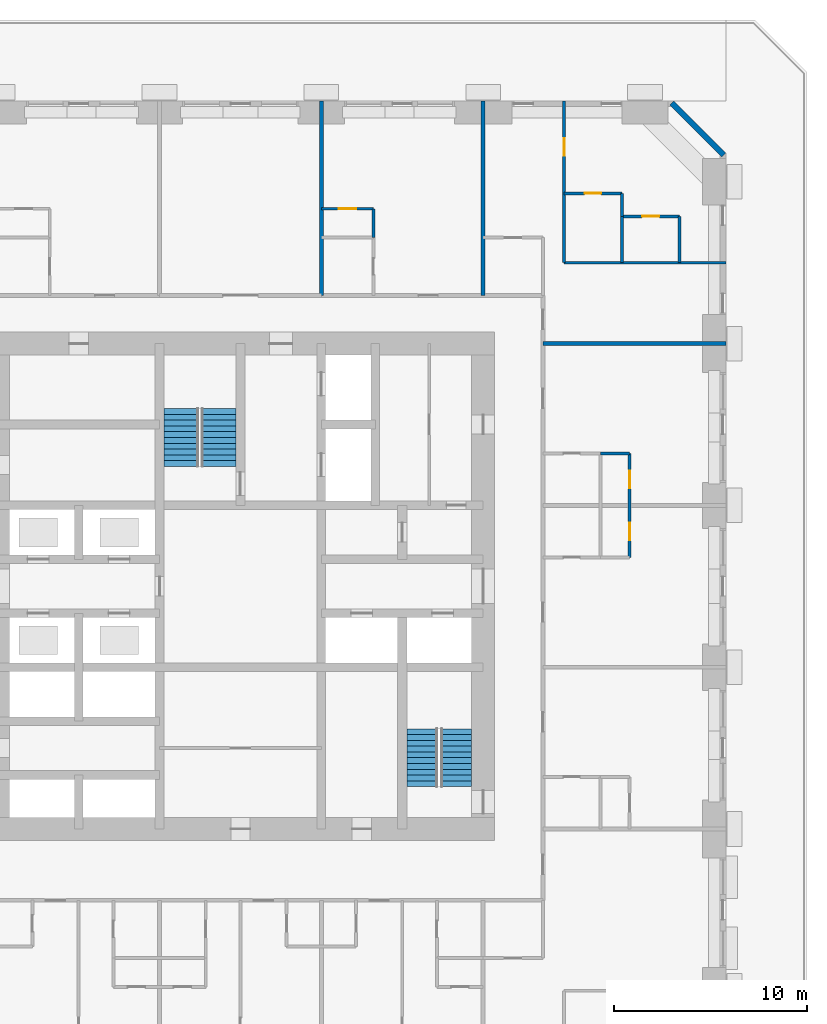
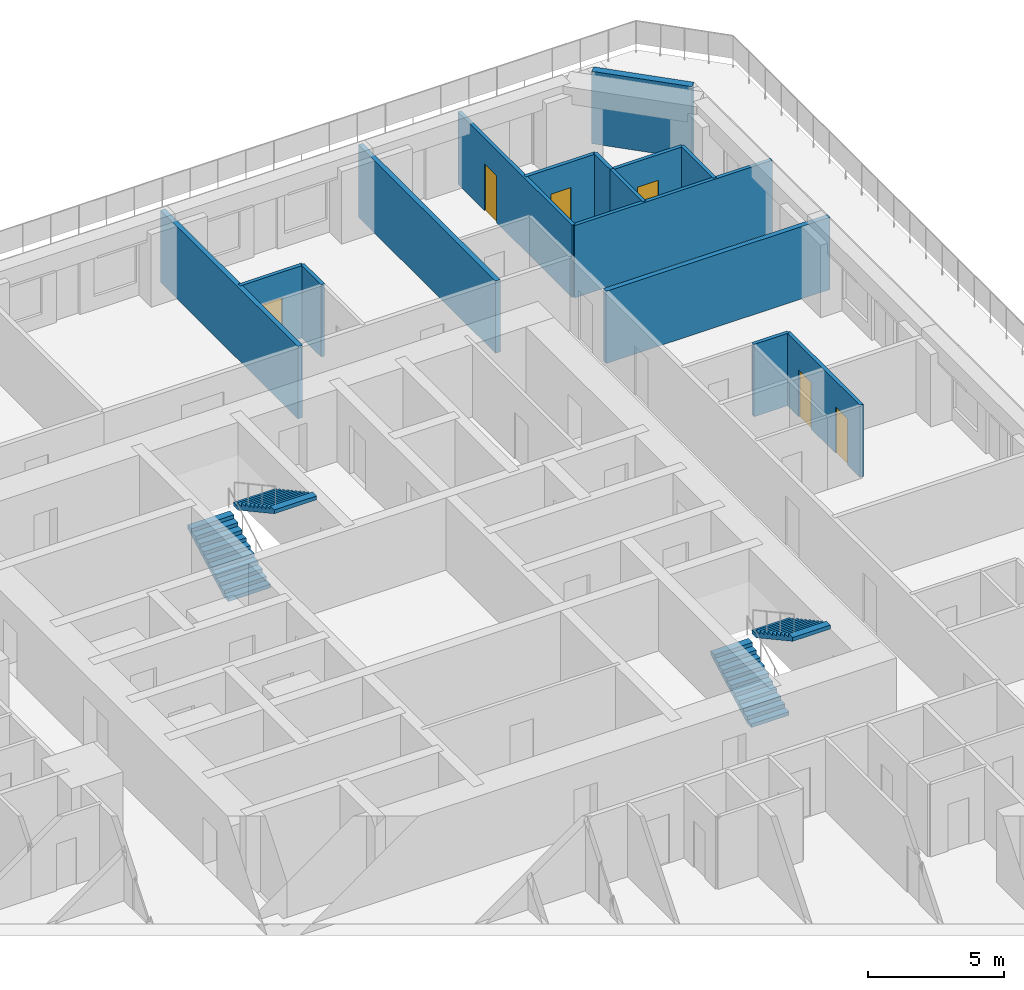
# One storey, part 14 of 16: 15 walls, 6 doors, 4 stair flights, 6 openings, 2 elements without a shape of their own.
"""IFC4 building model written with IfcOpenShell, lengths in metres."""

from ifc_helpers import new_model, si_unit, direction, frame, frame_2d, origin, place, context, subcontext, project, spatial, polyline, rectangle, outline, extrude, material, layer, layer_set, type_object, element, fill, aggregate, save


model = new_model("IFC4")

# Units and contexts
model_context = context("Model", 3, precision=1e-05, world=origin(), true_north=direction((0.0, 1.0)))
body_context = subcontext(model_context, "Body", "Model", "MODEL_VIEW")
ifc_project = project(units=[si_unit("LENGTHUNIT", "METRE"), si_unit("AREAUNIT", "SQUARE_METRE"), si_unit("VOLUMEUNIT", "CUBIC_METRE"), si_unit("PLANEANGLEUNIT", "RADIAN"), si_unit("MASSUNIT", "GRAM", prefix="KILO")], contexts=[model_context])

# Site, building, storey
site_placement = place(None, origin())
site = spatial("IfcSite", under=ifc_project, at=site_placement, CompositionType="ELEMENT")
building_placement = place(site_placement, origin())
building = spatial("IfcBuilding", under=site, at=building_placement, Name="Dunama Terrace Hotel", CompositionType="ELEMENT")
storey_placement = place(building_placement, frame((0.0, 0.0, 93.60009765625)))
storey = spatial("IfcBuildingStorey", under=building, at=storey_placement, Name="L23", CompositionType="ELEMENT", Elevation=93.60009765625)

# Wall
ifc_material_1 = material(Name="Gypsum board partition", Category="masonry")
ifc_layer_1 = layer(ifc_material_1, 0.14990234375)
ifc_layer_set_1 = layer_set([ifc_layer_1], Name="Bathroom partition 150")
wall_type_1 = type_object("IfcWallType", Name="Bathroom partition 150", PredefinedType="PARTITIONING", material=ifc_layer_set_1)
wall_1_placement = place(storey_placement, frame((49.199951171875, 48.60009765625, 0.0), z_axis=(0.0, 0.0, 1.0), x_axis=(0.0, 1.0, 0.0)))
element("IfcWall", 1, at=wall_1_placement, inside=storey, type_object=wall_type_1, Name="Bathroom partition 150 L23", PredefinedType="PARTITIONING", context=body_context, shape_type="SweptSolid", body=[
    extrude(rectangle(XDim=1.199951171875, YDim=0.14990234375, at=frame_2d((0.60009765625, 0.0))), origin(), (0.0, 0.0, 1.0), 3.25),
])

# Wall, opening, door
wall_2_placement = place(storey_placement, frame((46.199951171875, 49.800048828125, 0.0), z_axis=(0.0, 0.0, 1.0), x_axis=(1.0, 0.0, 0.0)))
wall_2 = element("IfcWall", 2, at=wall_2_placement, inside=storey, type_object=wall_type_1, Name="Bathroom partition 150 L23", PredefinedType="PARTITIONING", context=body_context, shape_type="SweptSolid", body=[
    extrude(rectangle(XDim=3.0, YDim=0.14990234375, at=frame_2d((1.5, 0.0))), origin(), (0.0, 0.0, 1.0), 3.25),
])
opening_1_placement = place(wall_2_placement, frame((1.074951171875, 0.0, 0.0)))
opening_1 = element("IfcOpeningElement", 3, at=opening_1_placement, cuts=wall_2, Name="Opening L23-085", PredefinedType="OPENING", context=body_context, shape_type="SweptSolid", body=[
    extrude(rectangle(XDim=0.85009765625, YDim=2.10009765625, at=frame_2d((0.425048828125, 1.050048828125))), frame((0.0, 0.0849609375, 0.0), z_axis=(0.0, -1.0, 0.0), x_axis=(1.0, 0.0, 0.0)), (0.0, 0.0, 1.0), 0.169921875),
])
ifc_material_2 = material(Name="Timber door with steel frame", Category="steel")
door_type_1 = type_object("IfcDoorType", Name="Bathroom door 850", OperationType="SINGLE_SWING_LEFT", PredefinedType="DOOR", material=ifc_material_2)
door_1_placement = place(opening_1_placement, frame((0.85009765625, 0.0, 0.0), z_axis=(0.0, 0.0, 1.0), x_axis=(-1.0, 0.0, 0.0)))
door_1 = element("IfcDoor", 4, at=door_1_placement, inside=storey, type_object=door_type_1, Name="Door to en-suite bathroom L23-085, type D2", OperationType="SINGLE_SWING_LEFT", OverallHeight=2.10009765625, OverallWidth=0.85009765625, PredefinedType="DOOR", context=body_context, shape_type="SweptSolid", body=[
    extrude(rectangle(XDim=0.85009765625, YDim=2.10009765625, at=frame_2d((0.425048828125, 1.050048828125))), frame((0.0, 0.025146484375, 0.0), z_axis=(0.0, -1.0, 0.0), x_axis=(1.0, 0.0, 0.0)), (0.0, 0.0, 1.0), 0.050048828125),
])
fill(opening_1, door_1)

# Walls
ifc_material_3 = material(Name="Concrete blockwork", Category="masonry")
ifc_layer_2 = layer(ifc_material_3, 0.199951171875)
ifc_layer_set_2 = layer_set([ifc_layer_2], Name="Party wall 200")
wall_type_2 = type_object("IfcWallType", Name="Party wall 200", PredefinedType="PARTITIONING", material=ifc_layer_set_2)
for number, where, z_axis, x_axis, name in (
    (5, (33.60009765625, 44.5, 0.0), (0.0, 0.0, 1.0), (0.0, 1.0, 0.0), "Party wall 200 L23"),
    (6, (42.0, 44.5, 0.0), (0.0, 0.0, 1.0), (0.0, 1.0, 0.0), "Party wall 200 L23"),
):
    element("IfcWall", number, at=place(storey_placement, frame(where, z_axis=z_axis, x_axis=x_axis)), inside=storey, type_object=wall_type_2, Name=name, PredefinedType="PARTITIONING", context=body_context, shape_type="SweptSolid", body=[
        extrude(rectangle(XDim=10.10009765625, YDim=0.199951171875, at=frame_2d((5.050048828125, 0.0))), origin(), (0.0, 0.0, 1.0), 3.25),
    ])
wall_3_placement = place(storey_placement, frame((45.10009765625, 42.0, 0.0), z_axis=(0.0, 0.0, 1.0), x_axis=(1.0, 0.0, 0.0)))
element("IfcWall", 7, at=wall_3_placement, inside=storey, type_object=wall_type_2, Name="Party wall 200 L23", PredefinedType="PARTITIONING", context=body_context, shape_type="SweptSolid", body=[
    extrude(rectangle(XDim=9.5, YDim=0.199951171875, at=frame_2d((4.75, 0.0))), origin(), (0.0, 0.0, 1.0), 3.25),
])
ifc_material_4 = material(Name="Gypsum board partition", Category="masonry")
ifc_layer_3 = layer(ifc_material_4, 0.14990234375)
ifc_layer_set_3 = layer_set([ifc_layer_3], Name="Room partition 150")
wall_type_3 = type_object("IfcWallType", Name="Room partition 150", PredefinedType="PARTITIONING", material=ifc_layer_set_3)
wall_4_placement = place(storey_placement, frame((36.300048828125, 47.5, 0.0), z_axis=(0.0, 0.0, 1.0), x_axis=(0.0, 1.0, 0.0)))
element("IfcWall", 8, at=wall_4_placement, inside=storey, type_object=wall_type_3, Name="Room partition 150 L23", PredefinedType="PARTITIONING", context=body_context, shape_type="SweptSolid", body=[
    extrude(rectangle(XDim=1.5, YDim=0.14990234375, at=frame_2d((0.75, 0.0))), origin(), (0.0, 0.0, 1.0), 3.25),
])

# Wall, opening, door
wall_5_placement = place(storey_placement, frame((46.199951171875, 46.199951171875, 0.0), z_axis=(0.0, 0.0, 1.0), x_axis=(0.0, 1.0, 0.0)))
wall_5 = element("IfcWall", 9, at=wall_5_placement, inside=storey, type_object=wall_type_3, Name="Room partition 150 L23", PredefinedType="PARTITIONING", context=body_context, shape_type="SweptSolid", body=[
    extrude(rectangle(XDim=8.400146484375, YDim=0.14990234375, at=frame_2d((4.2001953125, 0.0))), origin(), (0.0, 0.0, 1.0), 3.25),
])
opening_2_placement = place(wall_5_placement, frame((5.550048828125, 0.0, 0.0)))
opening_2 = element("IfcOpeningElement", 10, at=opening_2_placement, cuts=wall_5, Name="Opening L23-084", PredefinedType="OPENING", context=body_context, shape_type="SweptSolid", body=[
    extrude(rectangle(XDim=0.89990234375, YDim=2.10009765625, at=frame_2d((0.449951171875, 1.050048828125))), frame((0.0, 0.0849609375, 0.0), z_axis=(0.0, -1.0, 0.0), x_axis=(1.0, 0.0, 0.0)), (0.0, 0.0, 1.0), 0.169921875),
])
ifc_material_5 = material(Name="Timber door with steel frame", Category="steel")
door_type_2 = type_object("IfcDoorType", Name="Suite internal door 900", OperationType="SINGLE_SWING_LEFT", PredefinedType="DOOR", material=ifc_material_5)
door_2_placement = place(opening_2_placement, frame((0.89990234375, 0.0, 0.0), z_axis=(0.0, 0.0, 1.0), x_axis=(-1.0, 0.0, 0.0)))
door_2 = element("IfcDoor", 11, at=door_2_placement, inside=storey, type_object=door_type_2, Name="Door to corner suite bedroom L23-084, type D16", OperationType="SINGLE_SWING_LEFT", OverallHeight=2.10009765625, OverallWidth=0.89990234375, PredefinedType="DOOR", context=body_context, shape_type="SweptSolid", body=[
    extrude(rectangle(XDim=0.89990234375, YDim=2.10009765625, at=frame_2d((0.449951171875, 1.050048828125))), frame((0.0, 0.025146484375, 0.0), z_axis=(0.0, -1.0, 0.0), x_axis=(1.0, 0.0, 0.0)), (0.0, 0.0, 1.0), 0.050048828125),
])
fill(opening_2, door_2)

# Wall
wall_6_placement = place(storey_placement, frame((49.199951171875, 46.199951171875, 0.0), z_axis=(0.0, 0.0, 1.0), x_axis=(0.0, 1.0, 0.0)))
element("IfcWall", 12, at=wall_6_placement, inside=storey, type_object=wall_type_3, Name="Room partition 150 L23", PredefinedType="PARTITIONING", context=body_context, shape_type="SweptSolid", body=[
    extrude(rectangle(XDim=2.400146484375, YDim=0.14990234375, at=frame_2d((1.2001953125, 0.0))), origin(), (0.0, 0.0, 1.0), 3.25),
])

# Wall, openings, doors
wall_7_placement = place(storey_placement, frame((49.60009765625, 30.89990234375, 0.0), z_axis=(0.0, 0.0, 1.0), x_axis=(0.0, 1.0, 0.0)))
wall_7 = element("IfcWall", 13, at=wall_7_placement, inside=storey, type_object=wall_type_3, Name="Room partition 150 L23", PredefinedType="PARTITIONING", context=body_context, shape_type="SweptSolid", body=[
    extrude(rectangle(XDim=5.400146484375, YDim=0.14990234375, at=frame_2d((2.7001953125, 0.0))), origin(), (0.0, 0.0, 1.0), 3.25),
])
opening_3_placement = place(wall_7_placement, frame((0.89990234375, 0.0, 0.0)))
opening_3 = element("IfcOpeningElement", 14, at=opening_3_placement, cuts=wall_7, Name="Opening L23-045", PredefinedType="OPENING", context=body_context, shape_type="SweptSolid", body=[
    extrude(rectangle(XDim=0.89990234375, YDim=2.10009765625, at=frame_2d((0.449951171875, 1.050048828125))), frame((0.0, 0.0849609375, 0.0), z_axis=(0.0, -1.0, 0.0), x_axis=(1.0, 0.0, 0.0)), (0.0, 0.0, 1.0), 0.169921875),
])
opening_4_placement = place(wall_7_placement, frame((3.60009765625, 0.0, 0.0)))
opening_4 = element("IfcOpeningElement", 15, at=opening_4_placement, cuts=wall_7, Name="Opening L23-048", PredefinedType="OPENING", context=body_context, shape_type="SweptSolid", body=[
    extrude(rectangle(XDim=0.89990234375, YDim=2.10009765625, at=frame_2d((0.449951171875, 1.050048828125))), frame((0.0, 0.0849609375, 0.0), z_axis=(0.0, -1.0, 0.0), x_axis=(1.0, 0.0, 0.0)), (0.0, 0.0, 1.0), 0.169921875),
])
door_3_placement = place(opening_3_placement, origin())
door_3 = element("IfcDoor", 16, at=door_3_placement, inside=storey, type_object=door_type_2, Name="Door to walk-in wardrobe L23-045, type D16", OperationType="SINGLE_SWING_LEFT", OverallHeight=2.10009765625, OverallWidth=0.89990234375, PredefinedType="DOOR", context=body_context, shape_type="SweptSolid", body=[
    extrude(rectangle(XDim=0.89990234375, YDim=2.10009765625, at=frame_2d((0.449951171875, 1.050048828125))), frame((0.0, 0.02490234375, 0.0), z_axis=(0.0, -1.0, 0.0), x_axis=(1.0, 0.0, 0.0)), (0.0, 0.0, 1.0), 0.050048828125),
])
fill(opening_3, door_3)
door_4_placement = place(opening_4_placement, origin())
door_4 = element("IfcDoor", 17, at=door_4_placement, inside=storey, type_object=door_type_2, Name="Door to walk-in wardrobe L23-048, type D16", OperationType="SINGLE_SWING_LEFT", OverallHeight=2.10009765625, OverallWidth=0.89990234375, PredefinedType="DOOR", context=body_context, shape_type="SweptSolid", body=[
    extrude(rectangle(XDim=0.89990234375, YDim=2.10009765625, at=frame_2d((0.449951171875, 1.050048828125))), frame((0.0, 0.02490234375, 0.0), z_axis=(0.0, -1.0, 0.0), x_axis=(1.0, 0.0, 0.0)), (0.0, 0.0, 1.0), 0.050048828125),
])
fill(opening_4, door_4)

# Walls
wall_8_placement = place(storey_placement, frame((52.199951171875, 46.199951171875, 0.0), z_axis=(0.0, 0.0, 1.0), x_axis=(0.0, 1.0, 0.0)))
element("IfcWall", 18, at=wall_8_placement, inside=storey, type_object=wall_type_3, Name="Room partition 150 L23", PredefinedType="PARTITIONING", context=body_context, shape_type="SweptSolid", body=[
    extrude(rectangle(XDim=2.400146484375, YDim=0.14990234375, at=frame_2d((1.2001953125, 0.0))), origin(), (0.0, 0.0, 1.0), 3.25),
])
wall_9_placement = place(storey_placement, frame((48.10009765625, 36.300048828125, 0.0), z_axis=(0.0, 0.0, 1.0), x_axis=(1.0, 0.0, 0.0)))
element("IfcWall", 19, at=wall_9_placement, inside=storey, type_object=wall_type_3, Name="Room partition 150 L23", PredefinedType="PARTITIONING", context=body_context, shape_type="SweptSolid", body=[
    extrude(rectangle(XDim=1.5, YDim=0.14990234375, at=frame_2d((0.75, 0.0))), origin(), (0.0, 0.0, 1.0), 3.25),
])
wall_10_placement = place(storey_placement, frame((46.199951171875, 46.199951171875, 0.0), z_axis=(0.0, 0.0, 1.0), x_axis=(1.0, 0.0, 0.0)))
element("IfcWall", 20, at=wall_10_placement, inside=storey, type_object=wall_type_3, Name="Room partition 150 L23", PredefinedType="PARTITIONING", context=body_context, shape_type="SweptSolid", body=[
    extrude(rectangle(XDim=8.400146484375, YDim=0.14990234375, at=frame_2d((4.2001953125, 0.0))), origin(), (0.0, 0.0, 1.0), 3.25),
])

# Wall, opening, door
wall_11_placement = place(storey_placement, frame((49.199951171875, 48.60009765625, 0.0), z_axis=(0.0, 0.0, 1.0), x_axis=(1.0, 0.0, 0.0)))
wall_11 = element("IfcWall", 21, at=wall_11_placement, inside=storey, type_object=wall_type_3, Name="Room partition 150 L23", PredefinedType="PARTITIONING", context=body_context, shape_type="SweptSolid", body=[
    extrude(rectangle(XDim=3.0, YDim=0.14990234375, at=frame_2d((1.5, 0.0))), origin(), (0.0, 0.0, 1.0), 3.25),
])
opening_5_placement = place(wall_11_placement, frame((1.050048828125, 0.0, 0.0)))
opening_5 = element("IfcOpeningElement", 22, at=opening_5_placement, cuts=wall_11, Name="Opening L23-086", PredefinedType="OPENING", context=body_context, shape_type="SweptSolid", body=[
    extrude(rectangle(XDim=0.89990234375, YDim=2.10009765625, at=frame_2d((0.449951171875, 1.050048828125))), frame((0.0, 0.0849609375, 0.0), z_axis=(0.0, -1.0, 0.0), x_axis=(1.0, 0.0, 0.0)), (0.0, 0.0, 1.0), 0.169921875),
])
door_5_placement = place(opening_5_placement, frame((0.89990234375, 0.0, 0.0), z_axis=(0.0, 0.0, 1.0), x_axis=(-1.0, 0.0, 0.0)))
door_5 = element("IfcDoor", 23, at=door_5_placement, inside=storey, type_object=door_type_2, Name="Door to dressing room L23-086, type D16", OperationType="SINGLE_SWING_RIGHT", OverallHeight=2.10009765625, OverallWidth=0.89990234375, PredefinedType="DOOR", context=body_context, shape_type="SweptSolid", body=[
    extrude(rectangle(XDim=0.89990234375, YDim=2.10009765625, at=frame_2d((0.449951171875, 1.050048828125))), frame((0.0, 0.025146484375, 0.0), z_axis=(0.0, -1.0, 0.0), x_axis=(1.0, 0.0, 0.0)), (0.0, 0.0, 1.0), 0.050048828125),
])
fill(opening_5, door_5)

wall_12_placement = place(storey_placement, frame((33.60009765625, 49.0, 0.0), z_axis=(0.0, 0.0, 1.0), x_axis=(1.0, 0.0, 0.0)))
wall_12 = element("IfcWall", 24, at=wall_12_placement, inside=storey, type_object=wall_type_3, Name="Room partition 150 L23", PredefinedType="PARTITIONING", context=body_context, shape_type="SweptSolid", body=[
    extrude(rectangle(XDim=2.699951171875, YDim=0.14990234375, at=frame_2d((1.35009765625, 0.0))), origin(), (0.0, 0.0, 1.0), 3.25),
])
opening_6_placement = place(wall_12_placement, frame((0.89990234375, 0.0, 0.0)))
opening_6 = element("IfcOpeningElement", 25, at=opening_6_placement, cuts=wall_12, Name="Opening L23-055", PredefinedType="OPENING", context=body_context, shape_type="SweptSolid", body=[
    extrude(rectangle(XDim=0.89990234375, YDim=2.10009765625, at=frame_2d((0.449951171875, 1.050048828125))), frame((0.0, 0.0849609375, 0.0), z_axis=(0.0, -1.0, 0.0), x_axis=(1.0, 0.0, 0.0)), (0.0, 0.0, 1.0), 0.169921875),
])
door_6_placement = place(opening_6_placement, frame((0.89990234375, 0.0, 0.0), z_axis=(0.0, 0.0, 1.0), x_axis=(-1.0, 0.0, 0.0)))
door_6 = element("IfcDoor", 26, at=door_6_placement, inside=storey, type_object=door_type_2, Name="Door to walk-in wardrobe L23-055, type D16", OperationType="SINGLE_SWING_RIGHT", OverallHeight=2.10009765625, OverallWidth=0.89990234375, PredefinedType="DOOR", context=body_context, shape_type="SweptSolid", body=[
    extrude(rectangle(XDim=0.89990234375, YDim=2.10009765625, at=frame_2d((0.449951171875, 1.050048828125))), frame((0.0, 0.025146484375, 0.0), z_axis=(0.0, -1.0, 0.0), x_axis=(1.0, 0.0, 0.0)), (0.0, 0.0, 1.0), 0.050048828125),
])
fill(opening_6, door_6)

# Wall
ifc_material_6 = material(Name="Granite-faced concrete blockwork", Category="masonry")
ifc_layer_4 = layer(ifc_material_6, 0.300048828125)
ifc_layer_set_4 = layer_set([ifc_layer_4], Name="Terrace wall 300")
wall_type_4 = type_object("IfcWallType", Name="Terrace wall 300", PredefinedType="SOLIDWALL", material=ifc_layer_set_4)
wall_13_placement = place(storey_placement, frame((54.493896484375, 51.7939453125, 0.0), z_axis=(0.0, 0.0, 1.0), x_axis=(-0.707106781187, 0.707106781187, 0.0)))
element("IfcWall", 27, at=wall_13_placement, inside=storey, type_object=wall_type_4, Name="Terrace wall 300 L23", PredefinedType="SOLIDWALL", context=body_context, shape_type="SweptSolid", body=[
    extrude(rectangle(XDim=3.818359375, YDim=0.300048828125, at=frame_2d((1.9091796875, 0.0))), origin(), (0.0, 0.0, 1.0), 3.25),
])

# Stair, stair flights
ifc_material_7 = material(Name="Concrete C40/50", Category="concrete")
stair_type_1 = type_object("IfcStairType", Name="Stair ST1-3600-1800", PredefinedType="HALF_TURN_STAIR", material=ifc_material_7)
stair_1_placement = place(storey_placement, origin())
stair_1 = element("IfcStair", 28, at=stair_1_placement, inside=storey, type_object=stair_type_1, Name="Stair ST1 L23", PredefinedType="HALF_TURN_STAIR")
ifc_material_8 = material(Name="Concrete C40/50", Category="concrete")
stair_flight_type_1 = type_object("IfcStairFlightType", Name="Stair flight ST1-3600-1800", PredefinedType="STRAIGHT", material=ifc_material_8)
stair_flight_1_placement = place(storey_placement, frame((26.324951171875, 35.625, 0.0), z_axis=(0.0, 0.0, 1.0), x_axis=(0.0, 1.0, 0.0)))
stair_flight_1 = element("IfcStairFlight", 29, at=stair_flight_1_placement, type_object=stair_flight_type_1, Name="ST1 flight 1", NumberOfRisers=11, NumberOfTreads=10, PredefinedType="STRAIGHT", RiserHeight=0.163636364, TreadLength=0.3, context=body_context, shape_type="SweptSolid", body=[
    extrude(outline(polyline([(0.0, 0.0), (0.0, 0.16357421875), (0.300048828125, 0.16357421875), (0.300048828125, 0.327392578125), (0.60009765625, 0.327392578125), (0.60009765625, 0.490966796875), (0.89990234375, 0.490966796875), (0.89990234375, 0.654541015625), (1.199951171875, 0.654541015625), (1.199951171875, 0.818115234375), (1.5, 0.818115234375), (1.5, 0.98193359375), (1.800048828125, 0.98193359375), (1.800048828125, 1.1455078125), (2.10009765625, 1.1455078125), (2.10009765625, 1.30908203125), (2.39990234375, 1.30908203125), (2.39990234375, 1.47265625), (2.699951171875, 1.47265625), (2.699951171875, 1.636474609375), (3.0, 1.636474609375), (3.0, 1.800048828125), (3.0, 1.465576171875), (0.31298828125, 0.0), (0.0, 0.0)])), frame((0.0, 0.89990234375, 0.0), z_axis=(0.0, -1.0, 0.0), x_axis=(1.0, 0.0, 0.0)), (0.0, 0.0, 1.0), 1.800048828125),
])
stair_flight_2_placement = place(storey_placement, frame((28.27490234375, 38.625, 1.7998046875), z_axis=(0.0, 0.0, 1.0), x_axis=(0.0, -1.0, 0.0)))
stair_flight_2 = element("IfcStairFlight", 30, at=stair_flight_2_placement, type_object=stair_flight_type_1, Name="ST1 flight 2", NumberOfRisers=11, NumberOfTreads=10, PredefinedType="STRAIGHT", RiserHeight=0.163636364, TreadLength=0.3, context=body_context, shape_type="SweptSolid", body=[
    extrude(outline(polyline([(0.0, 0.0), (0.0, 0.16357421875), (0.300048828125, 0.16357421875), (0.300048828125, 0.327392578125), (0.60009765625, 0.327392578125), (0.60009765625, 0.490966796875), (0.89990234375, 0.490966796875), (0.89990234375, 0.654541015625), (1.199951171875, 0.654541015625), (1.199951171875, 0.818115234375), (1.5, 0.818115234375), (1.5, 0.98193359375), (1.800048828125, 0.98193359375), (1.800048828125, 1.1455078125), (2.10009765625, 1.1455078125), (2.10009765625, 1.30908203125), (2.39990234375, 1.30908203125), (2.39990234375, 1.47265625), (2.699951171875, 1.47265625), (2.699951171875, 1.636474609375), (3.0, 1.636474609375), (3.0, 1.800048828125), (3.0, 1.465576171875), (0.31298828125, 0.0), (0.0, 0.0)])), frame((0.0, 0.89990234375, 0.0), z_axis=(0.0, -1.0, 0.0), x_axis=(1.0, 0.0, 0.0)), (0.0, 0.0, 1.0), 1.800048828125),
])
aggregate(stair_1, [stair_flight_1, stair_flight_2])

ifc_material_9 = material(Name="Concrete C40/50", Category="concrete")
stair_type_2 = type_object("IfcStairType", Name="Stair ST2-3600-1600", PredefinedType="HALF_TURN_STAIR", material=ifc_material_9)
stair_2_placement = place(storey_placement, origin())
stair_2 = element("IfcStair", 31, at=stair_2_placement, inside=storey, type_object=stair_type_2, Name="Stair ST2 L23", PredefinedType="HALF_TURN_STAIR")
ifc_material_10 = material(Name="Concrete C40/50", Category="concrete")
stair_flight_type_2 = type_object("IfcStairFlightType", Name="Stair flight ST2-3600-1600", PredefinedType="STRAIGHT", material=ifc_material_10)
stair_flight_3_placement = place(storey_placement, frame((38.85009765625, 19.0, 0.0), z_axis=(0.0, 0.0, 1.0), x_axis=(0.0, 1.0, 0.0)))
stair_flight_3 = element("IfcStairFlight", 32, at=stair_flight_3_placement, type_object=stair_flight_type_2, Name="ST2 flight 1", NumberOfRisers=11, NumberOfTreads=10, PredefinedType="STRAIGHT", RiserHeight=0.163636364, TreadLength=0.3, context=body_context, shape_type="SweptSolid", body=[
    extrude(outline(polyline([(0.0, 0.0), (0.0, 0.16357421875), (0.300048828125, 0.16357421875), (0.300048828125, 0.327392578125), (0.60009765625, 0.327392578125), (0.60009765625, 0.490966796875), (0.89990234375, 0.490966796875), (0.89990234375, 0.654541015625), (1.199951171875, 0.654541015625), (1.199951171875, 0.818115234375), (1.5, 0.818115234375), (1.5, 0.98193359375), (1.800048828125, 0.98193359375), (1.800048828125, 1.1455078125), (2.10009765625, 1.1455078125), (2.10009765625, 1.30908203125), (2.39990234375, 1.30908203125), (2.39990234375, 1.47265625), (2.699951171875, 1.47265625), (2.699951171875, 1.636474609375), (3.0, 1.636474609375), (3.0, 1.800048828125), (3.0, 1.465576171875), (0.31298828125, 0.0), (0.0, 0.0)])), frame((0.0, 0.800048828125, 0.0), z_axis=(0.0, -1.0, 0.0), x_axis=(1.0, 0.0, 0.0)), (0.0, 0.0, 1.0), 1.60009765625),
])
stair_flight_4_placement = place(storey_placement, frame((40.60009765625, 22.0, 1.7998046875), z_axis=(0.0, 0.0, 1.0), x_axis=(0.0, -1.0, 0.0)))
stair_flight_4 = element("IfcStairFlight", 33, at=stair_flight_4_placement, type_object=stair_flight_type_2, Name="ST2 flight 2", NumberOfRisers=11, NumberOfTreads=10, PredefinedType="STRAIGHT", RiserHeight=0.163636364, TreadLength=0.3, context=body_context, shape_type="SweptSolid", body=[
    extrude(outline(polyline([(0.0, 0.0), (0.0, 0.16357421875), (0.300048828125, 0.16357421875), (0.300048828125, 0.327392578125), (0.60009765625, 0.327392578125), (0.60009765625, 0.490966796875), (0.89990234375, 0.490966796875), (0.89990234375, 0.654541015625), (1.199951171875, 0.654541015625), (1.199951171875, 0.818115234375), (1.5, 0.818115234375), (1.5, 0.98193359375), (1.800048828125, 0.98193359375), (1.800048828125, 1.1455078125), (2.10009765625, 1.1455078125), (2.10009765625, 1.30908203125), (2.39990234375, 1.30908203125), (2.39990234375, 1.47265625), (2.699951171875, 1.47265625), (2.699951171875, 1.636474609375), (3.0, 1.636474609375), (3.0, 1.800048828125), (3.0, 1.465576171875), (0.31298828125, 0.0), (0.0, 0.0)])), frame((0.0, 0.800048828125, 0.0), z_axis=(0.0, -1.0, 0.0), x_axis=(1.0, 0.0, 0.0)), (0.0, 0.0, 1.0), 1.60009765625),
])
aggregate(stair_2, [stair_flight_3, stair_flight_4])

save(model, "model.ifc")
